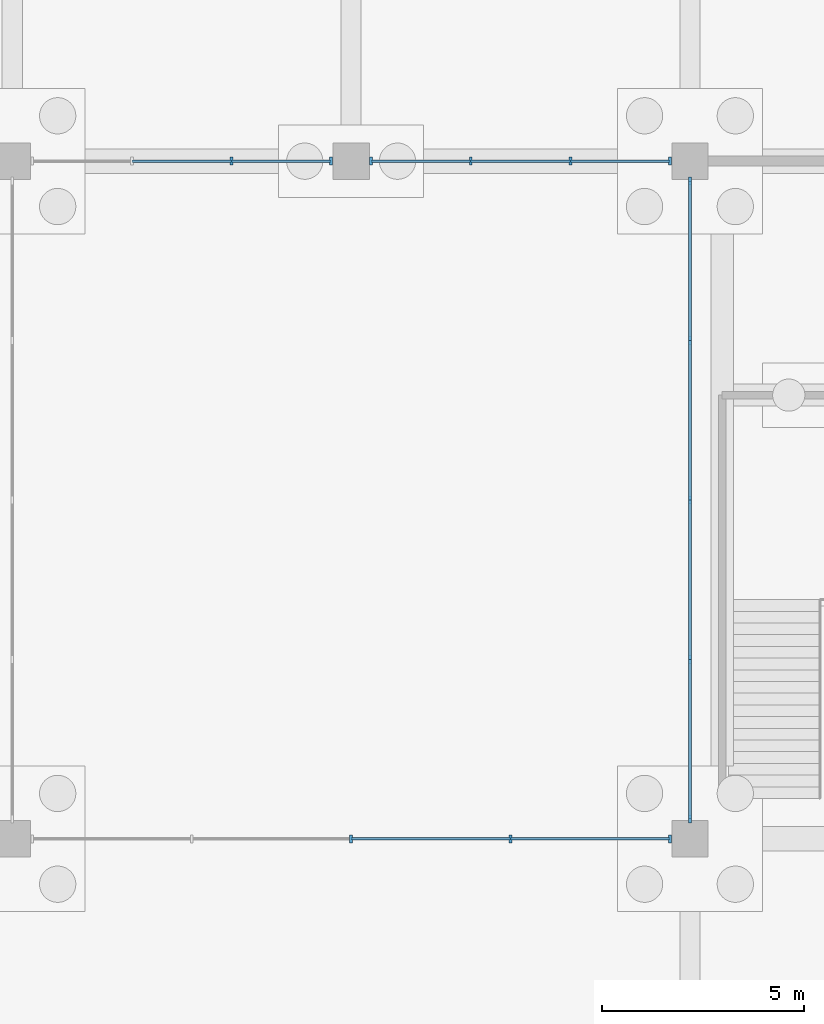
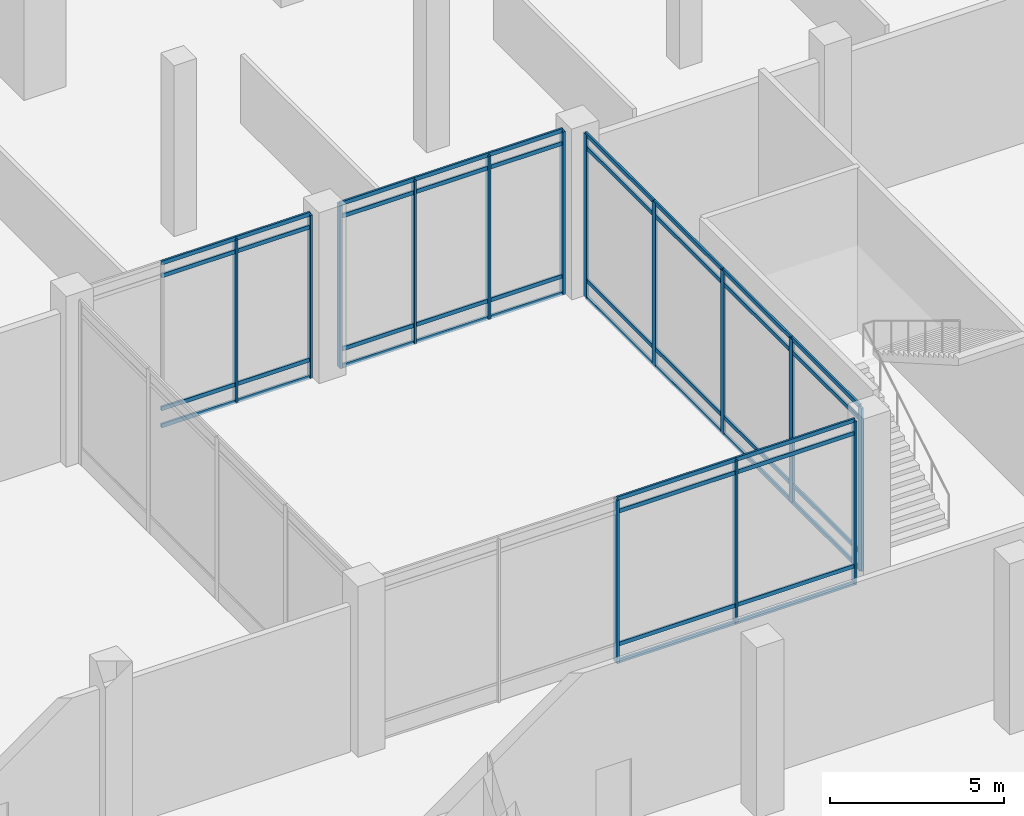
# One storey, part 32 of 72: 58 members, 4 elements without a shape of their own.
"""IFC4 building model written with IfcOpenShell, lengths in metres."""

from ifc_helpers import new_model, si_unit, direction, frame, origin, origin_2d, place, context, subcontext, project, spatial, rectangle, extrude, material, layer, layer_set, material_profile, profile_set, type_object, element, aggregate, save


model = new_model("IFC4")

# Units and contexts
model_context = context("Model", 3, precision=1e-05, world=origin(), true_north=direction((0.0, 1.0)))
body_context = subcontext(model_context, "Body", "Model", "MODEL_VIEW")
ifc_project = project(units=[si_unit("LENGTHUNIT", "METRE"), si_unit("AREAUNIT", "SQUARE_METRE"), si_unit("VOLUMEUNIT", "CUBIC_METRE"), si_unit("PLANEANGLEUNIT", "RADIAN"), si_unit("MASSUNIT", "GRAM", prefix="KILO")], contexts=[model_context])

# Site, building, storey
site_placement = place(None, origin())
site = spatial("IfcSite", under=ifc_project, at=site_placement, CompositionType="ELEMENT")
building_placement = place(site_placement, origin())
building = spatial("IfcBuilding", under=site, at=building_placement, Name="Qawsi Khor Wholesale Market", CompositionType="ELEMENT")
storey_placement = place(building_placement, origin())
storey = spatial("IfcBuildingStorey", under=building, at=storey_placement, Name="L00", CompositionType="ELEMENT", Elevation=0.0)

# Curtain wall, members
ifc_material = material(Name="Aluminium Anodised Bronze", Category="aluminium")
ifc_layer = layer(ifc_material, 0.179931640625, Name="Aluminium Anodised Bronze")
ifc_layer_set = layer_set([ifc_layer], Name="Aluminium Anodised Bronze")
curtain_wall_type = type_object("IfcCurtainWallType", Name="Atrium Full-Height Curtain Wall CW-02", PredefinedType="NOTDEFINED", material=ifc_layer_set)
curtain_wall_1_placement = place(storey_placement, origin())
curtain_wall_1 = element("IfcCurtainWall", 1, at=curtain_wall_1_placement, inside=storey, type_object=curtain_wall_type, Name="Curtain wall CW-CW-02-L00-031", PredefinedType="NOTDEFINED")
ifc_material_profile_1 = material_profile(ifc_material, rectangle(XDim=0.070068359375, YDim=0.199951171875, at=origin_2d()), Name="ALU MULLION 70x200")
ifc_profile_set_1 = profile_set([ifc_material_profile_1], Name="Aluminium Anodised Bronze")
member_type_1 = type_object("IfcMemberType", Name="Curtain Wall Mullion CW-02 ALU MULLION 70x200", PredefinedType="MULLION", material=ifc_profile_set_1)
member_1_placement = place(storey_placement, frame((159.60009765625, 25.199951171875, -0.02001953125), z_axis=(0.0, 0.0, 1.0), x_axis=(1.0, 0.0, 0.0)))
member_1 = element("IfcMember", 2, at=member_1_placement, type_object=member_type_1, Name="Mullion CW-CW-02-L00-031-M02", PredefinedType="MULLION", context=body_context, shape_type="SweptSolid", body=[
    extrude(rectangle(XDim=0.070068359375, YDim=0.199951171875, at=origin_2d()), origin(), (0.0, 0.0, 1.0), 5.739990234375),
])
member_2_placement = place(storey_placement, frame((163.552490234375, 25.199951171875, -0.02001953125), z_axis=(0.0, 0.0, 1.0), x_axis=(1.0, 0.0, 0.0)))
member_2 = element("IfcMember", 3, at=member_2_placement, type_object=member_type_1, Name="Mullion CW-CW-02-L00-031-M03", PredefinedType="MULLION", context=body_context, shape_type="SweptSolid", body=[
    extrude(rectangle(XDim=0.070068359375, YDim=0.199951171875, at=origin_2d()), origin(), (0.0, 0.0, 1.0), 5.739990234375),
])
member_3_placement = place(storey_placement, frame((167.5048828125, 25.199951171875, -0.02001953125), z_axis=(0.0, 0.0, 1.0), x_axis=(1.0, 0.0, 0.0)))
member_3 = element("IfcMember", 4, at=member_3_placement, type_object=member_type_1, Name="Mullion CW-CW-02-L00-031-M04", PredefinedType="MULLION", context=body_context, shape_type="SweptSolid", body=[
    extrude(rectangle(XDim=0.070068359375, YDim=0.199951171875, at=origin_2d()), origin(), (0.0, 0.0, 1.0), 5.739990234375),
])

curtain_wall_2_placement = place(storey_placement, origin())
curtain_wall_2 = element("IfcCurtainWall", 5, at=curtain_wall_2_placement, inside=storey, type_object=curtain_wall_type, Name="Curtain wall CW-CW-02-L00-032", PredefinedType="NOTDEFINED")
member_4_placement = place(storey_placement, frame((156.635009765625, 42.0, -0.02001953125), z_axis=(0.0, 0.0, 1.0), x_axis=(1.0, 0.0, 0.0)))
member_4 = element("IfcMember", 6, at=member_4_placement, type_object=member_type_1, Name="Mullion CW-CW-02-L00-032-M02", PredefinedType="MULLION", context=body_context, shape_type="SweptSolid", body=[
    extrude(rectangle(XDim=0.070068359375, YDim=0.199951171875, at=origin_2d()), origin(), (0.0, 0.0, 1.0), 5.739990234375),
])
member_5_placement = place(storey_placement, frame((159.10498046875, 42.0, -0.02001953125), z_axis=(0.0, 0.0, 1.0), x_axis=(1.0, 0.0, 0.0)))
member_5 = element("IfcMember", 7, at=member_5_placement, type_object=member_type_1, Name="Mullion CW-CW-02-L00-032-M03", PredefinedType="MULLION", context=body_context, shape_type="SweptSolid", body=[
    extrude(rectangle(XDim=0.070068359375, YDim=0.199951171875, at=origin_2d()), origin(), (0.0, 0.0, 1.0), 5.739990234375),
])

curtain_wall_3_placement = place(storey_placement, origin())
curtain_wall_3 = element("IfcCurtainWall", 8, at=curtain_wall_3_placement, inside=storey, type_object=curtain_wall_type, Name="Curtain wall CW-CW-02-L00-033", PredefinedType="NOTDEFINED")
member_6_placement = place(storey_placement, frame((160.094970703125, 42.0, -0.02001953125), z_axis=(0.0, 0.0, 1.0), x_axis=(1.0, 0.0, 0.0)))
member_6 = element("IfcMember", 9, at=member_6_placement, type_object=member_type_1, Name="Mullion CW-CW-02-L00-033-M00", PredefinedType="MULLION", context=body_context, shape_type="SweptSolid", body=[
    extrude(rectangle(XDim=0.070068359375, YDim=0.199951171875, at=origin_2d()), origin(), (0.0, 0.0, 1.0), 5.739990234375),
])
member_7_placement = place(storey_placement, frame((162.56494140625, 42.0, -0.02001953125), z_axis=(0.0, 0.0, 1.0), x_axis=(1.0, 0.0, 0.0)))
member_7 = element("IfcMember", 10, at=member_7_placement, type_object=member_type_1, Name="Mullion CW-CW-02-L00-033-M01", PredefinedType="MULLION", context=body_context, shape_type="SweptSolid", body=[
    extrude(rectangle(XDim=0.070068359375, YDim=0.199951171875, at=origin_2d()), origin(), (0.0, 0.0, 1.0), 5.739990234375),
])
member_8_placement = place(storey_placement, frame((165.034912109375, 42.0, -0.02001953125), z_axis=(0.0, 0.0, 1.0), x_axis=(1.0, 0.0, 0.0)))
member_8 = element("IfcMember", 11, at=member_8_placement, type_object=member_type_1, Name="Mullion CW-CW-02-L00-033-M02", PredefinedType="MULLION", context=body_context, shape_type="SweptSolid", body=[
    extrude(rectangle(XDim=0.070068359375, YDim=0.199951171875, at=origin_2d()), origin(), (0.0, 0.0, 1.0), 5.739990234375),
])
member_9_placement = place(storey_placement, frame((167.5048828125, 42.0, -0.02001953125), z_axis=(0.0, 0.0, 1.0), x_axis=(1.0, 0.0, 0.0)))
member_9 = element("IfcMember", 12, at=member_9_placement, type_object=member_type_1, Name="Mullion CW-CW-02-L00-033-M03", PredefinedType="MULLION", context=body_context, shape_type="SweptSolid", body=[
    extrude(rectangle(XDim=0.070068359375, YDim=0.199951171875, at=origin_2d()), origin(), (0.0, 0.0, 1.0), 5.739990234375),
])

curtain_wall_4_placement = place(storey_placement, origin())
curtain_wall_4 = element("IfcCurtainWall", 13, at=curtain_wall_4_placement, inside=storey, type_object=curtain_wall_type, Name="Curtain wall CW-CW-02-L00-035", PredefinedType="NOTDEFINED")
member_10_placement = place(storey_placement, frame((168.0, 25.695068359375, -0.02001953125), z_axis=(0.0, 0.0, 1.0), x_axis=(1.0, 0.0, 0.0)))
member_10 = element("IfcMember", 14, at=member_10_placement, type_object=member_type_1, Name="Mullion CW-CW-02-L00-035-M00", PredefinedType="MULLION", context=body_context, shape_type="SweptSolid", body=[
    extrude(rectangle(XDim=0.070068359375, YDim=0.199951171875, at=origin_2d()), origin(), (0.0, 0.0, 1.0), 5.739990234375),
])
member_11_placement = place(storey_placement, frame((168.0, 29.6474609375, -0.02001953125), z_axis=(0.0, 0.0, 1.0), x_axis=(1.0, 0.0, 0.0)))
member_11 = element("IfcMember", 15, at=member_11_placement, type_object=member_type_1, Name="Mullion CW-CW-02-L00-035-M01", PredefinedType="MULLION", context=body_context, shape_type="SweptSolid", body=[
    extrude(rectangle(XDim=0.070068359375, YDim=0.199951171875, at=origin_2d()), origin(), (0.0, 0.0, 1.0), 5.739990234375),
])
member_12_placement = place(storey_placement, frame((168.0, 33.60009765625, -0.02001953125), z_axis=(0.0, 0.0, 1.0), x_axis=(1.0, 0.0, 0.0)))
member_12 = element("IfcMember", 16, at=member_12_placement, type_object=member_type_1, Name="Mullion CW-CW-02-L00-035-M02", PredefinedType="MULLION", context=body_context, shape_type="SweptSolid", body=[
    extrude(rectangle(XDim=0.070068359375, YDim=0.199951171875, at=origin_2d()), origin(), (0.0, 0.0, 1.0), 5.739990234375),
])
member_13_placement = place(storey_placement, frame((168.0, 37.552490234375, -0.02001953125), z_axis=(0.0, 0.0, 1.0), x_axis=(1.0, 0.0, 0.0)))
member_13 = element("IfcMember", 17, at=member_13_placement, type_object=member_type_1, Name="Mullion CW-CW-02-L00-035-M03", PredefinedType="MULLION", context=body_context, shape_type="SweptSolid", body=[
    extrude(rectangle(XDim=0.070068359375, YDim=0.199951171875, at=origin_2d()), origin(), (0.0, 0.0, 1.0), 5.739990234375),
])
member_14_placement = place(storey_placement, frame((168.0, 41.5048828125, -0.02001953125), z_axis=(0.0, 0.0, 1.0), x_axis=(1.0, 0.0, 0.0)))
member_14 = element("IfcMember", 18, at=member_14_placement, type_object=member_type_1, Name="Mullion CW-CW-02-L00-035-M04", PredefinedType="MULLION", context=body_context, shape_type="SweptSolid", body=[
    extrude(rectangle(XDim=0.070068359375, YDim=0.199951171875, at=origin_2d()), origin(), (0.0, 0.0, 1.0), 5.739990234375),
])

# Member
ifc_material_profile_2 = material_profile(ifc_material, rectangle(XDim=0.06494140625, YDim=0.139892578125, at=origin_2d()), Name="ALU TRANSOM 65x140")
ifc_profile_set_2 = profile_set([ifc_material_profile_2], Name="Aluminium Anodised Bronze")
member_type_2 = type_object("IfcMemberType", Name="Curtain Wall Transom CW-02 ALU TRANSOM 65x140", PredefinedType="USERDEFINED", material=ifc_profile_set_2)
member_15_placement = place(storey_placement, frame((159.60009765625, 25.199951171875, 0.0), z_axis=(1.0, 0.0, 0.0), x_axis=(0.0, 1.0, 0.0)))
member_15 = element("IfcMember", 19, at=member_15_placement, type_object=member_type_2, Name="Transom CW-CW-02-L00-031-T0_02", ObjectType="TRANSOM", PredefinedType="USERDEFINED", context=body_context, shape_type="SweptSolid", body=[
    extrude(rectangle(XDim=0.06494140625, YDim=0.139892578125, at=origin_2d()), origin(), (0.0, 0.0, 1.0), 3.952392578125),
])

member_16_placement = place(storey_placement, frame((163.552490234375, 25.199951171875, 0.0), z_axis=(1.0, 0.0, 0.0), x_axis=(0.0, 1.0, 0.0)))
member_16 = element("IfcMember", 20, at=member_16_placement, type_object=member_type_2, Name="Transom CW-CW-02-L00-031-T0_03", ObjectType="TRANSOM", PredefinedType="USERDEFINED", context=body_context, shape_type="SweptSolid", body=[
    extrude(rectangle(XDim=0.06494140625, YDim=0.139892578125, at=origin_2d()), origin(), (0.0, 0.0, 1.0), 3.952392578125),
])

member_17_placement = place(storey_placement, frame((159.60009765625, 25.199951171875, 0.60009765625), z_axis=(1.0, 0.0, 0.0), x_axis=(0.0, 1.0, 0.0)))
member_17 = element("IfcMember", 21, at=member_17_placement, type_object=member_type_2, Name="Transom CW-CW-02-L00-031-T1_02", ObjectType="TRANSOM", PredefinedType="USERDEFINED", context=body_context, shape_type="SweptSolid", body=[
    extrude(rectangle(XDim=0.06494140625, YDim=0.139892578125, at=origin_2d()), origin(), (0.0, 0.0, 1.0), 3.952392578125),
])

member_18_placement = place(storey_placement, frame((163.552490234375, 25.199951171875, 0.60009765625), z_axis=(1.0, 0.0, 0.0), x_axis=(0.0, 1.0, 0.0)))
member_18 = element("IfcMember", 22, at=member_18_placement, type_object=member_type_2, Name="Transom CW-CW-02-L00-031-T1_03", ObjectType="TRANSOM", PredefinedType="USERDEFINED", context=body_context, shape_type="SweptSolid", body=[
    extrude(rectangle(XDim=0.06494140625, YDim=0.139892578125, at=origin_2d()), origin(), (0.0, 0.0, 1.0), 3.952392578125),
])

member_19_placement = place(storey_placement, frame((159.60009765625, 25.199951171875, 5.27001953125), z_axis=(1.0, 0.0, 0.0), x_axis=(0.0, 1.0, 0.0)))
member_19 = element("IfcMember", 23, at=member_19_placement, type_object=member_type_2, Name="Transom CW-CW-02-L00-031-T2_02", ObjectType="TRANSOM", PredefinedType="USERDEFINED", context=body_context, shape_type="SweptSolid", body=[
    extrude(rectangle(XDim=0.06494140625, YDim=0.139892578125, at=origin_2d()), origin(), (0.0, 0.0, 1.0), 3.952392578125),
])

member_20_placement = place(storey_placement, frame((163.552490234375, 25.199951171875, 5.27001953125), z_axis=(1.0, 0.0, 0.0), x_axis=(0.0, 1.0, 0.0)))
member_20 = element("IfcMember", 24, at=member_20_placement, type_object=member_type_2, Name="Transom CW-CW-02-L00-031-T2_03", ObjectType="TRANSOM", PredefinedType="USERDEFINED", context=body_context, shape_type="SweptSolid", body=[
    extrude(rectangle(XDim=0.06494140625, YDim=0.139892578125, at=origin_2d()), origin(), (0.0, 0.0, 1.0), 3.952392578125),
])

member_21_placement = place(storey_placement, frame((159.60009765625, 25.199951171875, 5.719970703125), z_axis=(1.0, 0.0, 0.0), x_axis=(0.0, 1.0, 0.0)))
member_21 = element("IfcMember", 25, at=member_21_placement, type_object=member_type_2, Name="Transom CW-CW-02-L00-031-T3_02", ObjectType="TRANSOM", PredefinedType="USERDEFINED", context=body_context, shape_type="SweptSolid", body=[
    extrude(rectangle(XDim=0.06494140625, YDim=0.139892578125, at=origin_2d()), origin(), (0.0, 0.0, 1.0), 3.952392578125),
])

member_22_placement = place(storey_placement, frame((163.552490234375, 25.199951171875, 5.719970703125), z_axis=(1.0, 0.0, 0.0), x_axis=(0.0, 1.0, 0.0)))
member_22 = element("IfcMember", 26, at=member_22_placement, type_object=member_type_2, Name="Transom CW-CW-02-L00-031-T3_03", ObjectType="TRANSOM", PredefinedType="USERDEFINED", context=body_context, shape_type="SweptSolid", body=[
    extrude(rectangle(XDim=0.06494140625, YDim=0.139892578125, at=origin_2d()), origin(), (0.0, 0.0, 1.0), 3.952392578125),
])

aggregate(curtain_wall_1, [member_1, member_2, member_3, member_15, member_16, member_17, member_18, member_19, member_20, member_21, member_22])

member_23_placement = place(storey_placement, frame((154.1650390625, 42.0, 0.0), z_axis=(1.0, 0.0, 0.0), x_axis=(0.0, 1.0, 0.0)))
member_23 = element("IfcMember", 27, at=member_23_placement, type_object=member_type_2, Name="Transom CW-CW-02-L00-032-T0_01", ObjectType="TRANSOM", PredefinedType="USERDEFINED", context=body_context, shape_type="SweptSolid", body=[
    extrude(rectangle(XDim=0.06494140625, YDim=0.139892578125, at=origin_2d()), origin(), (0.0, 0.0, 1.0), 2.469970703125),
])

member_24_placement = place(storey_placement, frame((156.635009765625, 42.0, 0.0), z_axis=(1.0, 0.0, 0.0), x_axis=(0.0, 1.0, 0.0)))
member_24 = element("IfcMember", 28, at=member_24_placement, type_object=member_type_2, Name="Transom CW-CW-02-L00-032-T0_02", ObjectType="TRANSOM", PredefinedType="USERDEFINED", context=body_context, shape_type="SweptSolid", body=[
    extrude(rectangle(XDim=0.06494140625, YDim=0.139892578125, at=origin_2d()), origin(), (0.0, 0.0, 1.0), 2.469970703125),
])

member_25_placement = place(storey_placement, frame((154.1650390625, 42.0, 0.60009765625), z_axis=(1.0, 0.0, 0.0), x_axis=(0.0, 1.0, 0.0)))
member_25 = element("IfcMember", 29, at=member_25_placement, type_object=member_type_2, Name="Transom CW-CW-02-L00-032-T1_01", ObjectType="TRANSOM", PredefinedType="USERDEFINED", context=body_context, shape_type="SweptSolid", body=[
    extrude(rectangle(XDim=0.06494140625, YDim=0.139892578125, at=origin_2d()), origin(), (0.0, 0.0, 1.0), 2.469970703125),
])

member_26_placement = place(storey_placement, frame((156.635009765625, 42.0, 0.60009765625), z_axis=(1.0, 0.0, 0.0), x_axis=(0.0, 1.0, 0.0)))
member_26 = element("IfcMember", 30, at=member_26_placement, type_object=member_type_2, Name="Transom CW-CW-02-L00-032-T1_02", ObjectType="TRANSOM", PredefinedType="USERDEFINED", context=body_context, shape_type="SweptSolid", body=[
    extrude(rectangle(XDim=0.06494140625, YDim=0.139892578125, at=origin_2d()), origin(), (0.0, 0.0, 1.0), 2.469970703125),
])

member_27_placement = place(storey_placement, frame((154.1650390625, 42.0, 5.27001953125), z_axis=(1.0, 0.0, 0.0), x_axis=(0.0, 1.0, 0.0)))
member_27 = element("IfcMember", 31, at=member_27_placement, type_object=member_type_2, Name="Transom CW-CW-02-L00-032-T2_01", ObjectType="TRANSOM", PredefinedType="USERDEFINED", context=body_context, shape_type="SweptSolid", body=[
    extrude(rectangle(XDim=0.06494140625, YDim=0.139892578125, at=origin_2d()), origin(), (0.0, 0.0, 1.0), 2.469970703125),
])

member_28_placement = place(storey_placement, frame((156.635009765625, 42.0, 5.27001953125), z_axis=(1.0, 0.0, 0.0), x_axis=(0.0, 1.0, 0.0)))
member_28 = element("IfcMember", 32, at=member_28_placement, type_object=member_type_2, Name="Transom CW-CW-02-L00-032-T2_02", ObjectType="TRANSOM", PredefinedType="USERDEFINED", context=body_context, shape_type="SweptSolid", body=[
    extrude(rectangle(XDim=0.06494140625, YDim=0.139892578125, at=origin_2d()), origin(), (0.0, 0.0, 1.0), 2.469970703125),
])

member_29_placement = place(storey_placement, frame((154.1650390625, 42.0, 5.719970703125), z_axis=(1.0, 0.0, 0.0), x_axis=(0.0, 1.0, 0.0)))
member_29 = element("IfcMember", 33, at=member_29_placement, type_object=member_type_2, Name="Transom CW-CW-02-L00-032-T3_01", ObjectType="TRANSOM", PredefinedType="USERDEFINED", context=body_context, shape_type="SweptSolid", body=[
    extrude(rectangle(XDim=0.06494140625, YDim=0.139892578125, at=origin_2d()), origin(), (0.0, 0.0, 1.0), 2.469970703125),
])

member_30_placement = place(storey_placement, frame((156.635009765625, 42.0, 5.719970703125), z_axis=(1.0, 0.0, 0.0), x_axis=(0.0, 1.0, 0.0)))
member_30 = element("IfcMember", 34, at=member_30_placement, type_object=member_type_2, Name="Transom CW-CW-02-L00-032-T3_02", ObjectType="TRANSOM", PredefinedType="USERDEFINED", context=body_context, shape_type="SweptSolid", body=[
    extrude(rectangle(XDim=0.06494140625, YDim=0.139892578125, at=origin_2d()), origin(), (0.0, 0.0, 1.0), 2.469970703125),
])

aggregate(curtain_wall_2, [member_4, member_5, member_23, member_24, member_25, member_26, member_27, member_28, member_29, member_30])

member_31_placement = place(storey_placement, frame((160.094970703125, 42.0, 0.0), z_axis=(1.0, 0.0, 0.0), x_axis=(0.0, 1.0, 0.0)))
member_31 = element("IfcMember", 35, at=member_31_placement, type_object=member_type_2, Name="Transom CW-CW-02-L00-033-T0_00", ObjectType="TRANSOM", PredefinedType="USERDEFINED", context=body_context, shape_type="SweptSolid", body=[
    extrude(rectangle(XDim=0.06494140625, YDim=0.139892578125, at=origin_2d()), origin(), (0.0, 0.0, 1.0), 2.469970703125),
])

member_32_placement = place(storey_placement, frame((162.56494140625, 42.0, 0.0), z_axis=(1.0, 0.0, 0.0), x_axis=(0.0, 1.0, 0.0)))
member_32 = element("IfcMember", 36, at=member_32_placement, type_object=member_type_2, Name="Transom CW-CW-02-L00-033-T0_01", ObjectType="TRANSOM", PredefinedType="USERDEFINED", context=body_context, shape_type="SweptSolid", body=[
    extrude(rectangle(XDim=0.06494140625, YDim=0.139892578125, at=origin_2d()), origin(), (0.0, 0.0, 1.0), 2.469970703125),
])

member_33_placement = place(storey_placement, frame((165.034912109375, 42.0, 0.0), z_axis=(1.0, 0.0, 0.0), x_axis=(0.0, 1.0, 0.0)))
member_33 = element("IfcMember", 37, at=member_33_placement, type_object=member_type_2, Name="Transom CW-CW-02-L00-033-T0_02", ObjectType="TRANSOM", PredefinedType="USERDEFINED", context=body_context, shape_type="SweptSolid", body=[
    extrude(rectangle(XDim=0.06494140625, YDim=0.139892578125, at=origin_2d()), origin(), (0.0, 0.0, 1.0), 2.469970703125),
])

member_34_placement = place(storey_placement, frame((160.094970703125, 42.0, 0.60009765625), z_axis=(1.0, 0.0, 0.0), x_axis=(0.0, 1.0, 0.0)))
member_34 = element("IfcMember", 38, at=member_34_placement, type_object=member_type_2, Name="Transom CW-CW-02-L00-033-T1_00", ObjectType="TRANSOM", PredefinedType="USERDEFINED", context=body_context, shape_type="SweptSolid", body=[
    extrude(rectangle(XDim=0.06494140625, YDim=0.139892578125, at=origin_2d()), origin(), (0.0, 0.0, 1.0), 2.469970703125),
])

member_35_placement = place(storey_placement, frame((162.56494140625, 42.0, 0.60009765625), z_axis=(1.0, 0.0, 0.0), x_axis=(0.0, 1.0, 0.0)))
member_35 = element("IfcMember", 39, at=member_35_placement, type_object=member_type_2, Name="Transom CW-CW-02-L00-033-T1_01", ObjectType="TRANSOM", PredefinedType="USERDEFINED", context=body_context, shape_type="SweptSolid", body=[
    extrude(rectangle(XDim=0.06494140625, YDim=0.139892578125, at=origin_2d()), origin(), (0.0, 0.0, 1.0), 2.469970703125),
])

member_36_placement = place(storey_placement, frame((165.034912109375, 42.0, 0.60009765625), z_axis=(1.0, 0.0, 0.0), x_axis=(0.0, 1.0, 0.0)))
member_36 = element("IfcMember", 40, at=member_36_placement, type_object=member_type_2, Name="Transom CW-CW-02-L00-033-T1_02", ObjectType="TRANSOM", PredefinedType="USERDEFINED", context=body_context, shape_type="SweptSolid", body=[
    extrude(rectangle(XDim=0.06494140625, YDim=0.139892578125, at=origin_2d()), origin(), (0.0, 0.0, 1.0), 2.469970703125),
])

member_37_placement = place(storey_placement, frame((160.094970703125, 42.0, 5.27001953125), z_axis=(1.0, 0.0, 0.0), x_axis=(0.0, 1.0, 0.0)))
member_37 = element("IfcMember", 41, at=member_37_placement, type_object=member_type_2, Name="Transom CW-CW-02-L00-033-T2_00", ObjectType="TRANSOM", PredefinedType="USERDEFINED", context=body_context, shape_type="SweptSolid", body=[
    extrude(rectangle(XDim=0.06494140625, YDim=0.139892578125, at=origin_2d()), origin(), (0.0, 0.0, 1.0), 2.469970703125),
])

member_38_placement = place(storey_placement, frame((162.56494140625, 42.0, 5.27001953125), z_axis=(1.0, 0.0, 0.0), x_axis=(0.0, 1.0, 0.0)))
member_38 = element("IfcMember", 42, at=member_38_placement, type_object=member_type_2, Name="Transom CW-CW-02-L00-033-T2_01", ObjectType="TRANSOM", PredefinedType="USERDEFINED", context=body_context, shape_type="SweptSolid", body=[
    extrude(rectangle(XDim=0.06494140625, YDim=0.139892578125, at=origin_2d()), origin(), (0.0, 0.0, 1.0), 2.469970703125),
])

member_39_placement = place(storey_placement, frame((165.034912109375, 42.0, 5.27001953125), z_axis=(1.0, 0.0, 0.0), x_axis=(0.0, 1.0, 0.0)))
member_39 = element("IfcMember", 43, at=member_39_placement, type_object=member_type_2, Name="Transom CW-CW-02-L00-033-T2_02", ObjectType="TRANSOM", PredefinedType="USERDEFINED", context=body_context, shape_type="SweptSolid", body=[
    extrude(rectangle(XDim=0.06494140625, YDim=0.139892578125, at=origin_2d()), origin(), (0.0, 0.0, 1.0), 2.469970703125),
])

member_40_placement = place(storey_placement, frame((160.094970703125, 42.0, 5.719970703125), z_axis=(1.0, 0.0, 0.0), x_axis=(0.0, 1.0, 0.0)))
member_40 = element("IfcMember", 44, at=member_40_placement, type_object=member_type_2, Name="Transom CW-CW-02-L00-033-T3_00", ObjectType="TRANSOM", PredefinedType="USERDEFINED", context=body_context, shape_type="SweptSolid", body=[
    extrude(rectangle(XDim=0.06494140625, YDim=0.139892578125, at=origin_2d()), origin(), (0.0, 0.0, 1.0), 2.469970703125),
])

member_41_placement = place(storey_placement, frame((162.56494140625, 42.0, 5.719970703125), z_axis=(1.0, 0.0, 0.0), x_axis=(0.0, 1.0, 0.0)))
member_41 = element("IfcMember", 45, at=member_41_placement, type_object=member_type_2, Name="Transom CW-CW-02-L00-033-T3_01", ObjectType="TRANSOM", PredefinedType="USERDEFINED", context=body_context, shape_type="SweptSolid", body=[
    extrude(rectangle(XDim=0.06494140625, YDim=0.139892578125, at=origin_2d()), origin(), (0.0, 0.0, 1.0), 2.469970703125),
])

member_42_placement = place(storey_placement, frame((165.034912109375, 42.0, 5.719970703125), z_axis=(1.0, 0.0, 0.0), x_axis=(0.0, 1.0, 0.0)))
member_42 = element("IfcMember", 46, at=member_42_placement, type_object=member_type_2, Name="Transom CW-CW-02-L00-033-T3_02", ObjectType="TRANSOM", PredefinedType="USERDEFINED", context=body_context, shape_type="SweptSolid", body=[
    extrude(rectangle(XDim=0.06494140625, YDim=0.139892578125, at=origin_2d()), origin(), (0.0, 0.0, 1.0), 2.469970703125),
])

aggregate(curtain_wall_3, [member_6, member_7, member_8, member_9, member_31, member_32, member_33, member_34, member_35, member_36, member_37, member_38, member_39, member_40, member_41, member_42])

member_43_placement = place(storey_placement, frame((168.0, 25.695068359375, 0.0), z_axis=(0.0, 1.0, 0.0), x_axis=(-1.0, 0.0, 0.0)))
member_43 = element("IfcMember", 47, at=member_43_placement, type_object=member_type_2, Name="Transom CW-CW-02-L00-035-T0_00", ObjectType="TRANSOM", PredefinedType="USERDEFINED", context=body_context, shape_type="SweptSolid", body=[
    extrude(rectangle(XDim=0.06494140625, YDim=0.139892578125, at=origin_2d()), origin(), (0.0, 0.0, 1.0), 3.952392578125),
])

member_44_placement = place(storey_placement, frame((168.0, 29.6474609375, 0.0), z_axis=(0.0, 1.0, 0.0), x_axis=(-1.0, 0.0, 0.0)))
member_44 = element("IfcMember", 48, at=member_44_placement, type_object=member_type_2, Name="Transom CW-CW-02-L00-035-T0_01", ObjectType="TRANSOM", PredefinedType="USERDEFINED", context=body_context, shape_type="SweptSolid", body=[
    extrude(rectangle(XDim=0.06494140625, YDim=0.139892578125, at=origin_2d()), origin(), (0.0, 0.0, 1.0), 3.95263671875),
])

member_45_placement = place(storey_placement, frame((168.0, 33.60009765625, 0.0), z_axis=(0.0, 1.0, 0.0), x_axis=(-1.0, 0.0, 0.0)))
member_45 = element("IfcMember", 49, at=member_45_placement, type_object=member_type_2, Name="Transom CW-CW-02-L00-035-T0_02", ObjectType="TRANSOM", PredefinedType="USERDEFINED", context=body_context, shape_type="SweptSolid", body=[
    extrude(rectangle(XDim=0.06494140625, YDim=0.139892578125, at=origin_2d()), origin(), (0.0, 0.0, 1.0), 3.952392578125),
])

member_46_placement = place(storey_placement, frame((168.0, 37.552490234375, 0.0), z_axis=(0.0, 1.0, 0.0), x_axis=(-1.0, 0.0, 0.0)))
member_46 = element("IfcMember", 50, at=member_46_placement, type_object=member_type_2, Name="Transom CW-CW-02-L00-035-T0_03", ObjectType="TRANSOM", PredefinedType="USERDEFINED", context=body_context, shape_type="SweptSolid", body=[
    extrude(rectangle(XDim=0.06494140625, YDim=0.139892578125, at=origin_2d()), origin(), (0.0, 0.0, 1.0), 3.952392578125),
])

member_47_placement = place(storey_placement, frame((168.0, 25.695068359375, 0.60009765625), z_axis=(0.0, 1.0, 0.0), x_axis=(-1.0, 0.0, 0.0)))
member_47 = element("IfcMember", 51, at=member_47_placement, type_object=member_type_2, Name="Transom CW-CW-02-L00-035-T1_00", ObjectType="TRANSOM", PredefinedType="USERDEFINED", context=body_context, shape_type="SweptSolid", body=[
    extrude(rectangle(XDim=0.06494140625, YDim=0.139892578125, at=origin_2d()), origin(), (0.0, 0.0, 1.0), 3.952392578125),
])

member_48_placement = place(storey_placement, frame((168.0, 29.6474609375, 0.60009765625), z_axis=(0.0, 1.0, 0.0), x_axis=(-1.0, 0.0, 0.0)))
member_48 = element("IfcMember", 52, at=member_48_placement, type_object=member_type_2, Name="Transom CW-CW-02-L00-035-T1_01", ObjectType="TRANSOM", PredefinedType="USERDEFINED", context=body_context, shape_type="SweptSolid", body=[
    extrude(rectangle(XDim=0.06494140625, YDim=0.139892578125, at=origin_2d()), origin(), (0.0, 0.0, 1.0), 3.95263671875),
])

member_49_placement = place(storey_placement, frame((168.0, 33.60009765625, 0.60009765625), z_axis=(0.0, 1.0, 0.0), x_axis=(-1.0, 0.0, 0.0)))
member_49 = element("IfcMember", 53, at=member_49_placement, type_object=member_type_2, Name="Transom CW-CW-02-L00-035-T1_02", ObjectType="TRANSOM", PredefinedType="USERDEFINED", context=body_context, shape_type="SweptSolid", body=[
    extrude(rectangle(XDim=0.06494140625, YDim=0.139892578125, at=origin_2d()), origin(), (0.0, 0.0, 1.0), 3.952392578125),
])

member_50_placement = place(storey_placement, frame((168.0, 37.552490234375, 0.60009765625), z_axis=(0.0, 1.0, 0.0), x_axis=(-1.0, 0.0, 0.0)))
member_50 = element("IfcMember", 54, at=member_50_placement, type_object=member_type_2, Name="Transom CW-CW-02-L00-035-T1_03", ObjectType="TRANSOM", PredefinedType="USERDEFINED", context=body_context, shape_type="SweptSolid", body=[
    extrude(rectangle(XDim=0.06494140625, YDim=0.139892578125, at=origin_2d()), origin(), (0.0, 0.0, 1.0), 3.952392578125),
])

member_51_placement = place(storey_placement, frame((168.0, 25.695068359375, 5.27001953125), z_axis=(0.0, 1.0, 0.0), x_axis=(-1.0, 0.0, 0.0)))
member_51 = element("IfcMember", 55, at=member_51_placement, type_object=member_type_2, Name="Transom CW-CW-02-L00-035-T2_00", ObjectType="TRANSOM", PredefinedType="USERDEFINED", context=body_context, shape_type="SweptSolid", body=[
    extrude(rectangle(XDim=0.06494140625, YDim=0.139892578125, at=origin_2d()), origin(), (0.0, 0.0, 1.0), 3.952392578125),
])

member_52_placement = place(storey_placement, frame((168.0, 29.6474609375, 5.27001953125), z_axis=(0.0, 1.0, 0.0), x_axis=(-1.0, 0.0, 0.0)))
member_52 = element("IfcMember", 56, at=member_52_placement, type_object=member_type_2, Name="Transom CW-CW-02-L00-035-T2_01", ObjectType="TRANSOM", PredefinedType="USERDEFINED", context=body_context, shape_type="SweptSolid", body=[
    extrude(rectangle(XDim=0.06494140625, YDim=0.139892578125, at=origin_2d()), origin(), (0.0, 0.0, 1.0), 3.95263671875),
])

member_53_placement = place(storey_placement, frame((168.0, 33.60009765625, 5.27001953125), z_axis=(0.0, 1.0, 0.0), x_axis=(-1.0, 0.0, 0.0)))
member_53 = element("IfcMember", 57, at=member_53_placement, type_object=member_type_2, Name="Transom CW-CW-02-L00-035-T2_02", ObjectType="TRANSOM", PredefinedType="USERDEFINED", context=body_context, shape_type="SweptSolid", body=[
    extrude(rectangle(XDim=0.06494140625, YDim=0.139892578125, at=origin_2d()), origin(), (0.0, 0.0, 1.0), 3.952392578125),
])

member_54_placement = place(storey_placement, frame((168.0, 37.552490234375, 5.27001953125), z_axis=(0.0, 1.0, 0.0), x_axis=(-1.0, 0.0, 0.0)))
member_54 = element("IfcMember", 58, at=member_54_placement, type_object=member_type_2, Name="Transom CW-CW-02-L00-035-T2_03", ObjectType="TRANSOM", PredefinedType="USERDEFINED", context=body_context, shape_type="SweptSolid", body=[
    extrude(rectangle(XDim=0.06494140625, YDim=0.139892578125, at=origin_2d()), origin(), (0.0, 0.0, 1.0), 3.952392578125),
])

member_55_placement = place(storey_placement, frame((168.0, 25.695068359375, 5.719970703125), z_axis=(0.0, 1.0, 0.0), x_axis=(-1.0, 0.0, 0.0)))
member_55 = element("IfcMember", 59, at=member_55_placement, type_object=member_type_2, Name="Transom CW-CW-02-L00-035-T3_00", ObjectType="TRANSOM", PredefinedType="USERDEFINED", context=body_context, shape_type="SweptSolid", body=[
    extrude(rectangle(XDim=0.06494140625, YDim=0.139892578125, at=origin_2d()), origin(), (0.0, 0.0, 1.0), 3.952392578125),
])

member_56_placement = place(storey_placement, frame((168.0, 29.6474609375, 5.719970703125), z_axis=(0.0, 1.0, 0.0), x_axis=(-1.0, 0.0, 0.0)))
member_56 = element("IfcMember", 60, at=member_56_placement, type_object=member_type_2, Name="Transom CW-CW-02-L00-035-T3_01", ObjectType="TRANSOM", PredefinedType="USERDEFINED", context=body_context, shape_type="SweptSolid", body=[
    extrude(rectangle(XDim=0.06494140625, YDim=0.139892578125, at=origin_2d()), origin(), (0.0, 0.0, 1.0), 3.95263671875),
])

member_57_placement = place(storey_placement, frame((168.0, 33.60009765625, 5.719970703125), z_axis=(0.0, 1.0, 0.0), x_axis=(-1.0, 0.0, 0.0)))
member_57 = element("IfcMember", 61, at=member_57_placement, type_object=member_type_2, Name="Transom CW-CW-02-L00-035-T3_02", ObjectType="TRANSOM", PredefinedType="USERDEFINED", context=body_context, shape_type="SweptSolid", body=[
    extrude(rectangle(XDim=0.06494140625, YDim=0.139892578125, at=origin_2d()), origin(), (0.0, 0.0, 1.0), 3.952392578125),
])

member_58_placement = place(storey_placement, frame((168.0, 37.552490234375, 5.719970703125), z_axis=(0.0, 1.0, 0.0), x_axis=(-1.0, 0.0, 0.0)))
member_58 = element("IfcMember", 62, at=member_58_placement, type_object=member_type_2, Name="Transom CW-CW-02-L00-035-T3_03", ObjectType="TRANSOM", PredefinedType="USERDEFINED", context=body_context, shape_type="SweptSolid", body=[
    extrude(rectangle(XDim=0.06494140625, YDim=0.139892578125, at=origin_2d()), origin(), (0.0, 0.0, 1.0), 3.952392578125),
])

aggregate(curtain_wall_4, [member_10, member_11, member_12, member_13, member_14, member_43, member_44, member_45, member_46, member_47, member_48, member_49, member_50, member_51, member_52, member_53, member_54, member_55, member_56, member_57, member_58])

save(model, "model.ifc")
